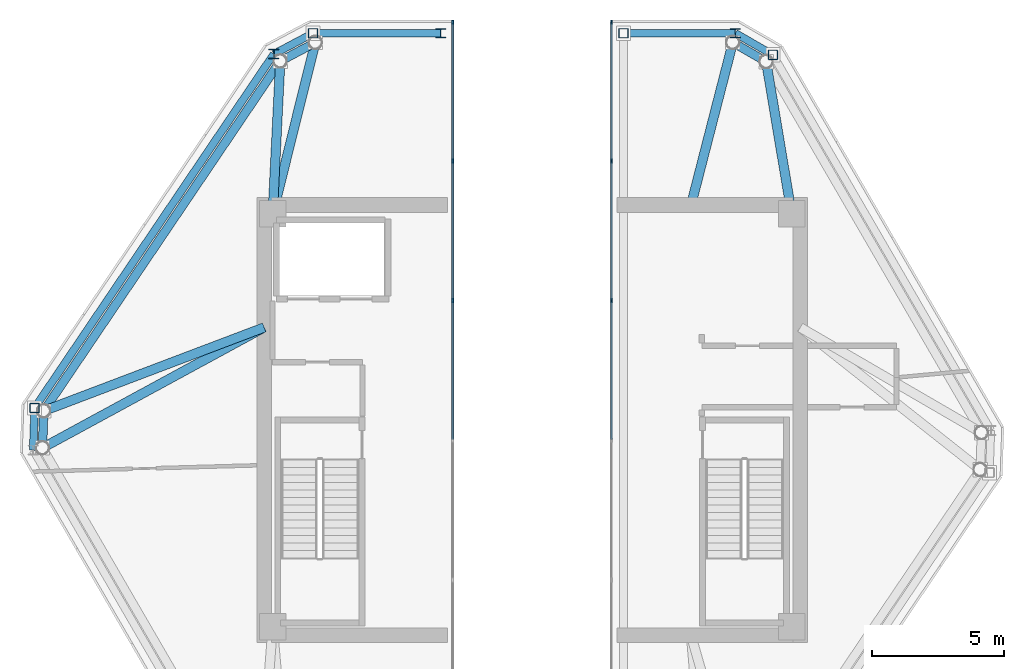
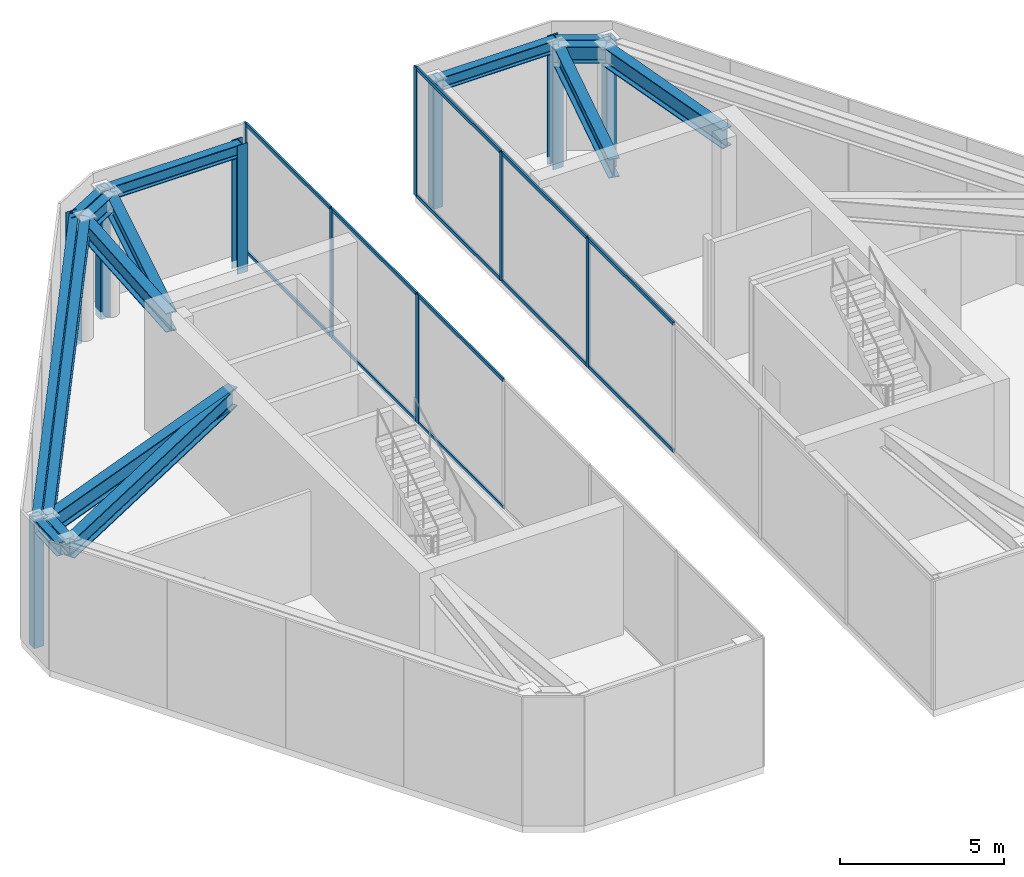
# One storey, part 4 of 8: 25 members, 16 beams, 2 elements without a shape of their own.
"""IFC4 building model written with IfcOpenShell, lengths in metres."""

from ifc_helpers import new_model, si_unit, direction, frame, origin, origin_2d, place, context, subcontext, project, spatial, rectangle, hollow_rectangle, i_section, extrude, source, transform, mapped, material, layer, layer_set, material_profile, profile_set, type_object, type_shapes, element, aggregate, save


model = new_model("IFC4")

# Units and contexts
model_context = context("Model", 3, precision=1e-05, world=origin(), true_north=direction((0.0, 1.0)))
body_context = subcontext(model_context, "Body", "Model", "MODEL_VIEW")
ifc_project = project(units=[si_unit("LENGTHUNIT", "METRE"), si_unit("AREAUNIT", "SQUARE_METRE"), si_unit("VOLUMEUNIT", "CUBIC_METRE"), si_unit("PLANEANGLEUNIT", "RADIAN"), si_unit("MASSUNIT", "GRAM", prefix="KILO")], contexts=[model_context])

# Site, building, storey
site_placement = place(None, origin())
site = spatial("IfcSite", under=ifc_project, at=site_placement, CompositionType="ELEMENT")
building_placement = place(site_placement, origin())
building = spatial("IfcBuilding", under=site, at=building_placement, Name="Durnholm Broadcast Tower", CompositionType="ELEMENT")
storey_placement = place(building_placement, frame((0.0, 0.0, 277.300048828125)))
storey = spatial("IfcBuildingStorey", under=building, at=storey_placement, Name="L77", CompositionType="ELEMENT", Elevation=277.300048828125)

# Beams
ifc_material_1 = material(Name="Steel ASTM A992 Grade 50", Category="steel")
ifc_material_profile_1 = material_profile(ifc_material_1, i_section(OverallWidth=0.3251953125, OverallDepth=0.6162109375, WebThickness=0.013916015625, FlangeThickness=0.021484375, FilletRadius=0.02783203125, at=origin_2d()), Name="W24X117")
ifc_profile_set_1 = profile_set([ifc_material_profile_1], Name="Steel ASTM A992 Grade 50")
beam_type_1 = type_object("IfcBeamType", Name="STL-SP-W24X117", PredefinedType="SPANDREL", material=ifc_profile_set_1)
shared_shape_1 = source(origin(), body_context, "Body", "SweptSolid", [
    extrude(i_section(OverallWidth=0.3251953125, OverallDepth=0.6162109375, WebThickness=0.013916015625, FlangeThickness=0.021484375, FilletRadius=0.02783203125, at=origin_2d()), origin(), (0.0, 0.0, 1.0), 1.39453125),
])
beam_1_placement = place(storey_placement, frame((-18.494384765625, -1.0478515625, 4.19677734375), z_axis=(0.034486393061, 0.999405167434, 0.0), x_axis=(-0.999405167434, 0.034486393061, 0.0)))
element("IfcBeam", 1, at=beam_1_placement, inside=storey, type_object=beam_type_1, Name="L77 perimeter spandrel girder 02", PredefinedType="SPANDREL", context=body_context, shape_type="MappedRepresentation", body=[
    mapped(shared_shape_1, transform((0.0, 0.0, 0.0), x_axis=(1.0, 0.0, 0.0), y_axis=(0.0, 1.0, 0.0), z_axis=(0.0, 0.0, 1.0), scale=1.0)),
])
shared_shape_2 = source(origin(), body_context, "Body", "SweptSolid", [
    extrude(i_section(OverallWidth=0.3251953125, OverallDepth=0.6162109375, WebThickness=0.013916015625, FlangeThickness=0.021484375, FilletRadius=0.02783203125, at=origin_2d()), origin(), (0.0, 0.0, 1.0), 15.947265625),
])
beam_2_placement = place(storey_placement, frame((-18.4462890625, 0.345947265625, 4.19677734375), z_axis=(0.560062212489, 0.828450552623, 0.0), x_axis=(-0.828450552623, 0.560062212489, 0.0)))
element("IfcBeam", 2, at=beam_2_placement, inside=storey, type_object=beam_type_1, Name="L77 perimeter spandrel girder 03", PredefinedType="SPANDREL", context=body_context, shape_type="MappedRepresentation", body=[
    mapped(shared_shape_2, transform((0.0, 0.0, 0.0), x_axis=(1.0, 0.0, 0.0), y_axis=(0.0, 1.0, 0.0), z_axis=(0.0, 0.0, 1.0), scale=1.0)),
])
shared_shape_3 = source(origin(), body_context, "Body", "SweptSolid", [
    extrude(i_section(OverallWidth=0.3251953125, OverallDepth=0.6162109375, WebThickness=0.013916015625, FlangeThickness=0.021484375, FilletRadius=0.02783203125, at=origin_2d()), origin(), (0.0, 0.0, 1.0), 1.502685546875),
])
beam_3_placement = place(storey_placement, frame((-9.514892578125, 13.557373046875, 4.19677734375), z_axis=(0.883241909673, 0.468917614296, 0.0), x_axis=(-0.468917614296, 0.883241909673, 0.0)))
element("IfcBeam", 3, at=beam_3_placement, inside=storey, type_object=beam_type_1, Name="L77 perimeter spandrel girder 04", PredefinedType="SPANDREL", context=body_context, shape_type="MappedRepresentation", body=[
    mapped(shared_shape_3, transform((0.0, 0.0, 0.0), x_axis=(1.0, 0.0, 0.0), y_axis=(0.0, 1.0, 0.0), z_axis=(0.0, 0.0, 1.0), scale=1.0)),
])
shared_shape_4 = source(origin(), body_context, "Body", "SweptSolid", [
    extrude(i_section(OverallWidth=0.3251953125, OverallDepth=0.6162109375, WebThickness=0.013916015625, FlangeThickness=0.021484375, FilletRadius=0.02783203125, at=origin_2d()), origin(), (0.0, 0.0, 1.0), 1.451416015625),
])
type_shapes(beam_type_1, [shared_shape_1, shared_shape_2, shared_shape_3, shared_shape_4])
beam_4_placement = place(storey_placement, frame((7.57958984375, 14.261962890625, 4.19677734375), z_axis=(0.866571760088, -0.499052486836, 0.0), x_axis=(0.499052486836, 0.866571760088, 0.0)))
element("IfcBeam", 4, at=beam_4_placement, inside=storey, type_object=beam_type_1, Name="L77 perimeter spandrel girder 06", PredefinedType="SPANDREL", context=body_context, shape_type="MappedRepresentation", body=[
    mapped(shared_shape_4, transform((0.0, 0.0, 0.0), x_axis=(1.0, 0.0, 0.0), y_axis=(0.0, 1.0, 0.0), z_axis=(0.0, 0.0, 1.0), scale=1.0)),
])
ifc_material_profile_2 = material_profile(ifc_material_1, i_section(OverallWidth=0.3564453125, OverallDepth=0.713623046875, WebThickness=0.01904296875, FlangeThickness=0.033935546875, FilletRadius=0.030517578125, at=origin_2d()), Name="W27X194")
ifc_profile_set_2 = profile_set([ifc_material_profile_2], Name="Steel ASTM A992 Grade 50")
beam_type_2 = type_object("IfcBeamType", Name="STL-GR-W27X194", PredefinedType="USERDEFINED", material=ifc_profile_set_2)
shared_shape_5 = source(origin(), body_context, "Body", "SweptSolid", [
    extrude(i_section(OverallWidth=0.3564453125, OverallDepth=0.713623046875, WebThickness=0.01904296875, FlangeThickness=0.033935546875, FilletRadius=0.030517578125, at=origin_2d()), origin(), (0.0, 0.0, 1.0), 5.764404296875),
])
beam_5_placement = place(storey_placement, frame((-9.800048828125, 7.800048828125, 4.14794921875), z_axis=(0.049468662109, 0.99877567625, 0.0), x_axis=(-0.99877567625, 0.049468662109, 0.0)))
element("IfcBeam", 5, at=beam_5_placement, inside=storey, type_object=beam_type_2, Name="L77 radial primary floor girder 04", ObjectType="GIRDER", PredefinedType="USERDEFINED", context=body_context, shape_type="MappedRepresentation", body=[
    mapped(shared_shape_5, transform((0.0, 0.0, 0.0), x_axis=(1.0, 0.0, 0.0), y_axis=(0.0, 1.0, 0.0), z_axis=(0.0, 0.0, 1.0), scale=1.0)),
])
shared_shape_6 = source(origin(), body_context, "Body", "SweptSolid", [
    extrude(i_section(OverallWidth=0.3564453125, OverallDepth=0.713623046875, WebThickness=0.01904296875, FlangeThickness=0.033935546875, FilletRadius=0.030517578125, at=origin_2d()), origin(), (0.0, 0.0, 1.0), 9.525146484375),
])
beam_6_placement = place(storey_placement, frame((-10.125, 3.5, 4.14794921875), z_axis=(-0.878656534666, -0.477454389538, 0.0), x_axis=(0.477454389538, -0.878656534666, 0.0)))
element("IfcBeam", 6, at=beam_6_placement, inside=storey, type_object=beam_type_2, Name="L77 radial primary floor girder 02", ObjectType="GIRDER", PredefinedType="USERDEFINED", context=body_context, shape_type="MappedRepresentation", body=[
    mapped(shared_shape_6, transform((0.0, 0.0, 0.0), x_axis=(1.0, 0.0, 0.0), y_axis=(0.0, 1.0, 0.0), z_axis=(0.0, 0.0, 1.0), scale=1.0)),
])
shared_shape_7 = source(origin(), body_context, "Body", "SweptSolid", [
    extrude(i_section(OverallWidth=0.3564453125, OverallDepth=0.713623046875, WebThickness=0.01904296875, FlangeThickness=0.033935546875, FilletRadius=0.030517578125, at=origin_2d()), origin(), (0.0, 0.0, 1.0), 8.89892578125),
])
beam_7_placement = place(storey_placement, frame((-10.125, 3.5, 4.14794921875), z_axis=(-0.935083139703, -0.354428443898, 0.0), x_axis=(0.354428443898, -0.935083139703, 0.0)))
element("IfcBeam", 7, at=beam_7_placement, inside=storey, type_object=beam_type_2, Name="L77 radial primary floor girder 03", ObjectType="GIRDER", PredefinedType="USERDEFINED", context=body_context, shape_type="MappedRepresentation", body=[
    mapped(shared_shape_7, transform((0.0, 0.0, 0.0), x_axis=(1.0, 0.0, 0.0), y_axis=(0.0, 1.0, 0.0), z_axis=(0.0, 0.0, 1.0), scale=1.0)),
])
shared_shape_8 = source(origin(), body_context, "Body", "SweptSolid", [
    extrude(i_section(OverallWidth=0.3564453125, OverallDepth=0.713623046875, WebThickness=0.01904296875, FlangeThickness=0.033935546875, FilletRadius=0.030517578125, at=origin_2d()), origin(), (0.0, 0.0, 1.0), 6.659912109375),
])
beam_8_placement = place(storey_placement, frame((-9.800048828125, 7.800048828125, 4.14794921875), z_axis=(0.242087082058, 0.97025452573, 0.0), x_axis=(-0.97025452573, 0.242087082058, 0.0)))
element("IfcBeam", 8, at=beam_8_placement, inside=storey, type_object=beam_type_2, Name="L77 radial primary floor girder 05", ObjectType="GIRDER", PredefinedType="USERDEFINED", context=body_context, shape_type="MappedRepresentation", body=[
    mapped(shared_shape_8, transform((0.0, 0.0, 0.0), x_axis=(1.0, 0.0, 0.0), y_axis=(0.0, 1.0, 0.0), z_axis=(0.0, 0.0, 1.0), scale=1.0)),
])
shared_shape_9 = source(origin(), body_context, "Body", "SweptSolid", [
    extrude(i_section(OverallWidth=0.3564453125, OverallDepth=0.713623046875, WebThickness=0.01904296875, FlangeThickness=0.033935546875, FilletRadius=0.030517578125, at=origin_2d()), origin(), (0.0, 0.0, 1.0), 6.3369140625),
])
beam_9_placement = place(storey_placement, frame((6.0, 8.125, 4.14794921875), z_axis=(0.249265081504, 0.968435294247, 0.0), x_axis=(-0.968435294247, 0.249265081504, 0.0)))
element("IfcBeam", 9, at=beam_9_placement, inside=storey, type_object=beam_type_2, Name="L77 radial primary floor girder 06", ObjectType="GIRDER", PredefinedType="USERDEFINED", context=body_context, shape_type="MappedRepresentation", body=[
    mapped(shared_shape_9, transform((0.0, 0.0, 0.0), x_axis=(1.0, 0.0, 0.0), y_axis=(0.0, 1.0, 0.0), z_axis=(0.0, 0.0, 1.0), scale=1.0)),
])
shared_shape_10 = source(origin(), body_context, "Body", "SweptSolid", [
    extrude(i_section(OverallWidth=0.3564453125, OverallDepth=0.713623046875, WebThickness=0.01904296875, FlangeThickness=0.033935546875, FilletRadius=0.030517578125, at=origin_2d()), origin(), (0.0, 0.0, 1.0), 5.817626953125),
])
type_shapes(beam_type_2, [shared_shape_5, shared_shape_6, shared_shape_7, shared_shape_8, shared_shape_9, shared_shape_10])
beam_10_placement = place(storey_placement, frame((9.800048828125, 7.800048828125, 4.14794921875), z_axis=(-0.16546729255, 0.986215278271, 0.0), x_axis=(-0.986215278271, -0.16546729255, 0.0)))
element("IfcBeam", 10, at=beam_10_placement, inside=storey, type_object=beam_type_2, Name="L77 radial primary floor girder 07", ObjectType="GIRDER", PredefinedType="USERDEFINED", context=body_context, shape_type="MappedRepresentation", body=[
    mapped(shared_shape_10, transform((0.0, 0.0, 0.0), x_axis=(1.0, 0.0, 0.0), y_axis=(0.0, 1.0, 0.0), z_axis=(0.0, 0.0, 1.0), scale=1.0)),
])
ifc_material_profile_3 = material_profile(ifc_material_1, i_section(OverallWidth=0.2861328125, OverallDepth=0.481689453125, WebThickness=0.0166015625, FlangeThickness=0.02685546875, FilletRadius=0.02294921875, at=origin_2d()), Name="W18X119")
ifc_profile_set_3 = profile_set([ifc_material_profile_3], Name="Steel ASTM A992 Grade 50")
beam_type_3 = type_object("IfcBeamType", Name="STL-BM-W18X119", PredefinedType="BEAM", material=ifc_profile_set_3)
shared_shape_11 = source(origin(), body_context, "Body", "SweptSolid", [
    extrude(i_section(OverallWidth=0.2861328125, OverallDepth=0.481689453125, WebThickness=0.0166015625, FlangeThickness=0.02685546875, FilletRadius=0.02294921875, at=origin_2d()), origin(), (0.0, 0.0, 1.0), 4.824951171875),
])
beam_11_placement = place(storey_placement, frame((-3.449951171875, 14.612060546875, 4.26416015625), z_axis=(-1.0, 0.0, 0.0), x_axis=(0.0, -1.0, 0.0)))
element("IfcBeam", 11, at=beam_11_placement, inside=storey, type_object=beam_type_3, Name="L77 W split-crown frame ring beam 4", PredefinedType="SPANDREL", context=body_context, shape_type="MappedRepresentation", body=[
    mapped(shared_shape_11, transform((0.0, 0.0, 0.0), x_axis=(1.0, 0.0, 0.0), y_axis=(0.0, 1.0, 0.0), z_axis=(0.0, 0.0, 1.0), scale=1.0)),
])
shared_shape_12 = source(origin(), body_context, "Body", "SweptSolid", [
    extrude(i_section(OverallWidth=0.2861328125, OverallDepth=0.481689453125, WebThickness=0.0166015625, FlangeThickness=0.02685546875, FilletRadius=0.02294921875, at=origin_2d()), origin(), (0.0, 0.0, 1.0), 1.677001953125),
])
beam_12_placement = place(storey_placement, frame((-8.27490234375, 14.612060546875, 4.26416015625), z_axis=(-0.883181677965, -0.469031047701, 0.0), x_axis=(0.469031047701, -0.883181677965, 0.0)))
element("IfcBeam", 12, at=beam_12_placement, inside=storey, type_object=beam_type_3, Name="L77 W split-crown frame ring beam 5", PredefinedType="SPANDREL", context=body_context, shape_type="MappedRepresentation", body=[
    mapped(shared_shape_12, transform((0.0, 0.0, 0.0), x_axis=(1.0, 0.0, 0.0), y_axis=(0.0, 1.0, 0.0), z_axis=(0.0, 0.0, 1.0), scale=1.0)),
])
shared_shape_13 = source(origin(), body_context, "Body", "SweptSolid", [
    extrude(i_section(OverallWidth=0.2861328125, OverallDepth=0.481689453125, WebThickness=0.0166015625, FlangeThickness=0.02685546875, FilletRadius=0.02294921875, at=origin_2d()), origin(), (0.0, 0.0, 1.0), 16.135009765625),
])
beam_13_placement = place(storey_placement, frame((-9.756103515625, 13.825439453125, 4.26416015625), z_axis=(-0.560066005193, -0.828447988607, 0.0), x_axis=(0.828447988607, -0.560066005193, 0.0)))
element("IfcBeam", 13, at=beam_13_placement, inside=storey, type_object=beam_type_3, Name="L77 W split-crown frame ring beam 6", PredefinedType="SPANDREL", context=body_context, shape_type="MappedRepresentation", body=[
    mapped(shared_shape_13, transform((0.0, 0.0, 0.0), x_axis=(1.0, 0.0, 0.0), y_axis=(0.0, 1.0, 0.0), z_axis=(0.0, 0.0, 1.0), scale=1.0)),
])
shared_shape_14 = source(origin(), body_context, "Body", "SweptSolid", [
    extrude(i_section(OverallWidth=0.2861328125, OverallDepth=0.481689453125, WebThickness=0.0166015625, FlangeThickness=0.02685546875, FilletRadius=0.02294921875, at=origin_2d()), origin(), (0.0, 0.0, 1.0), 1.595947265625),
])
beam_14_placement = place(storey_placement, frame((-18.792724609375, 0.45849609375, 4.26416015625), z_axis=(-0.034267326711, -0.999412702701, 0.0), x_axis=(0.999412702701, -0.034267326711, 0.0)))
element("IfcBeam", 14, at=beam_14_placement, inside=storey, type_object=beam_type_3, Name="L77 W split-crown frame ring beam 7", PredefinedType="SPANDREL", context=body_context, shape_type="MappedRepresentation", body=[
    mapped(shared_shape_14, transform((0.0, 0.0, 0.0), x_axis=(1.0, 0.0, 0.0), y_axis=(0.0, 1.0, 0.0), z_axis=(0.0, 0.0, 1.0), scale=1.0)),
])
shared_shape_15 = source(origin(), body_context, "Body", "SweptSolid", [
    extrude(i_section(OverallWidth=0.2861328125, OverallDepth=0.481689453125, WebThickness=0.0166015625, FlangeThickness=0.02685546875, FilletRadius=0.02294921875, at=origin_2d()), origin(), (0.0, 0.0, 1.0), 1.638671875),
])
beam_15_placement = place(storey_placement, frame((9.09326171875, 13.794189453125, 4.26416015625), z_axis=(-0.866532637126, 0.499120415126, 0.0), x_axis=(-0.499120415126, -0.866532637126, 0.0)))
element("IfcBeam", 15, at=beam_15_placement, inside=storey, type_object=beam_type_3, Name="L77 E split-crown frame ring beam 7", PredefinedType="SPANDREL", context=body_context, shape_type="MappedRepresentation", body=[
    mapped(shared_shape_15, transform((0.0, 0.0, 0.0), x_axis=(1.0, 0.0, 0.0), y_axis=(0.0, 1.0, 0.0), z_axis=(0.0, 0.0, 1.0), scale=1.0)),
])
shared_shape_16 = source(origin(), body_context, "Body", "SweptSolid", [
    extrude(i_section(OverallWidth=0.2861328125, OverallDepth=0.481689453125, WebThickness=0.0166015625, FlangeThickness=0.02685546875, FilletRadius=0.02294921875, at=origin_2d()), origin(), (0.0, 0.0, 1.0), 4.223388671875),
])
type_shapes(beam_type_3, [shared_shape_11, shared_shape_12, shared_shape_13, shared_shape_14, shared_shape_15, shared_shape_16])
beam_16_placement = place(storey_placement, frame((7.67333984375, 14.612060546875, 4.26416015625), z_axis=(-1.0, 0.0, 0.0), x_axis=(0.0, -1.0, 0.0)))
element("IfcBeam", 16, at=beam_16_placement, inside=storey, type_object=beam_type_3, Name="L77 E split-crown frame ring beam 8", PredefinedType="SPANDREL", context=body_context, shape_type="MappedRepresentation", body=[
    mapped(shared_shape_16, transform((0.0, 0.0, 0.0), x_axis=(1.0, 0.0, 0.0), y_axis=(0.0, 1.0, 0.0), z_axis=(0.0, 0.0, 1.0), scale=1.0)),
])

# Members
ifc_material_2 = material(Name="Steel ASTM A500 Grade C", Category="steel")
ifc_material_profile_4 = material_profile(ifc_material_2, hollow_rectangle(XDim=0.355712890625, YDim=0.355712890625, WallThickness=0.01171875, InnerFilletRadius=0.017578125, OuterFilletRadius=0.029541015625, at=origin_2d()), Name="HSS14X14X1/2")
ifc_profile_set_4 = profile_set([ifc_material_profile_4], Name="Steel ASTM A500 Grade C")
member_type_1 = type_object("IfcMemberType", Name="STL-CF-HSS14X14", PredefinedType="USERDEFINED", material=ifc_profile_set_4)
shared_shape_17 = source(origin(), body_context, "Body", "SweptSolid", [
    extrude(hollow_rectangle(XDim=0.355712890625, YDim=0.355712890625, WallThickness=0.01171875, InnerFilletRadius=0.017578125, OuterFilletRadius=0.029541015625, at=origin_2d()), origin(), (0.0, 0.0, 1.0), 4.800048828125),
])
type_shapes(member_type_1, [shared_shape_17])
for number, where, z_axis, x_axis, name in (
    (17, (-8.27490234375, 14.612060546875, -0.280029296875), (0.0, 0.0, 1.0), (1.0, 0.0, 0.0), "L77 W split-crown frame post 5"),
    (18, (-18.792724609375, 0.45849609375, -0.280029296875), (0.0, 0.0, 1.0), (1.0, 0.0, 0.0), "L77 W split-crown frame post 7"),
    (19, (3.449951171875, 14.612060546875, -0.280029296875), (0.0, 0.0, 1.0), (1.0, 0.0, 0.0), "L77 E split-crown frame post 1"),
    (20, (9.09326171875, 13.794189453125, -0.280029296875), (0.0, 0.0, 1.0), (1.0, 0.0, 0.0), "L77 E split-crown frame post 7"),
):
    element("IfcMember", number, at=place(storey_placement, frame(where, z_axis=z_axis, x_axis=x_axis)), inside=storey, type_object=member_type_1, Name=name, ObjectType="CROWN FRAME", PredefinedType="USERDEFINED", context=body_context, shape_type="MappedRepresentation", body=[
        mapped(shared_shape_17, transform((0.0, 0.0, 0.0), x_axis=(1.0, 0.0, 0.0), y_axis=(0.0, 1.0, 0.0), z_axis=(0.0, 0.0, 1.0), scale=1.0)),
    ])
ifc_material_profile_5 = material_profile(ifc_material_1, i_section(OverallWidth=0.368896484375, OverallDepth=0.356201171875, WebThickness=0.01123046875, FlangeThickness=0.01806640625, FilletRadius=0.030517578125, at=origin_2d()), Name="W14X90")
ifc_profile_set_5 = profile_set([ifc_material_profile_5], Name="Steel ASTM A992 Grade 50")
member_type_2 = type_object("IfcMemberType", Name="STL-CF-W14X90", PredefinedType="USERDEFINED", material=ifc_profile_set_5)
shared_shape_18 = source(origin(), body_context, "Body", "SweptSolid", [
    extrude(i_section(OverallWidth=0.368896484375, OverallDepth=0.356201171875, WebThickness=0.01123046875, FlangeThickness=0.01806640625, FilletRadius=0.030517578125, at=origin_2d()), origin(), (0.0, 0.0, 1.0), 4.800048828125),
])
type_shapes(member_type_2, [shared_shape_18])
for number, where, z_axis, x_axis, name in (
    (21, (-3.449951171875, 14.612060546875, -0.280029296875), (0.0, 0.0, 1.0), (1.0, 0.0, 0.0), "L77 W split-crown frame post 4"),
    (22, (-9.756103515625, 13.825439453125, -0.280029296875), (0.0, 0.0, 1.0), (1.0, 0.0, 0.0), "L77 W split-crown frame post 6"),
    (23, (7.67333984375, 14.612060546875, -0.280029296875), (0.0, 0.0, 1.0), (1.0, 0.0, 0.0), "L77 E split-crown frame post 8"),
):
    element("IfcMember", number, at=place(storey_placement, frame(where, z_axis=z_axis, x_axis=x_axis)), inside=storey, type_object=member_type_2, Name=name, ObjectType="CROWN FRAME", PredefinedType="USERDEFINED", context=body_context, shape_type="MappedRepresentation", body=[
        mapped(shared_shape_18, transform((0.0, 0.0, 0.0), x_axis=(1.0, 0.0, 0.0), y_axis=(0.0, 1.0, 0.0), z_axis=(0.0, 0.0, 1.0), scale=1.0)),
    ])

# Curtain wall, members
ifc_material_3 = material(Name="Aluminium and Solar Control IGU", Category="aluminium")
ifc_layer = layer(ifc_material_3, 0.1650390625)
ifc_layer_set = layer_set([ifc_layer], Name="Aluminium and Solar Control IGU")
curtain_wall_type = type_object("IfcCurtainWallType", Name="CW-SYS-7", PredefinedType="NOTDEFINED", material=ifc_layer_set)
curtain_wall_1_placement = place(storey_placement, origin())
curtain_wall_1 = element("IfcCurtainWall", 24, at=curtain_wall_1_placement, inside=storey, type_object=curtain_wall_type, Name="L77 curtain wall CW-CROWN CW-L77-W-5", PredefinedType="NOTDEFINED")
ifc_material_4 = material(Name="Aluminium 6063-T6", Category="aluminium")
ifc_material_profile_6 = material_profile(ifc_material_4, rectangle(XDim=0.06494140625, YDim=0.1650390625, at=origin_2d()), Name="CWM65X165")
ifc_profile_set_6 = profile_set([ifc_material_profile_6], Name="Aluminium 6063-T6")
member_type_3 = type_object("IfcMemberType", Name="CW-SYS-7-MUL", PredefinedType="MULLION", material=ifc_profile_set_6)
shared_shape_19 = source(origin(), body_context, "Body", "SweptSolid", [
    extrude(rectangle(XDim=0.06494140625, YDim=0.1650390625, at=origin_2d()), origin(), (0.0, 0.0, 1.0), 4.800048828125),
])
type_shapes(member_type_3, [shared_shape_19])
member_1_placement = place(storey_placement, frame((-3.0, 15.029541015625, 0.0), z_axis=(0.0, 0.0, 1.0), x_axis=(1.0, 0.0, 0.0)))
member_1 = element("IfcMember", 25, at=member_1_placement, type_object=member_type_3, Name="CW-CROWN mullion 1", PredefinedType="MULLION", context=body_context, shape_type="MappedRepresentation", body=[
    mapped(shared_shape_19, transform((0.0, 0.0, 0.0), x_axis=(1.0, 0.0, 0.0), y_axis=(0.0, 1.0, 0.0), z_axis=(0.0, 0.0, 1.0), scale=1.0)),
])
member_2_placement = place(storey_placement, frame((-3.0, 9.787353515625, 0.0), z_axis=(0.0, 0.0, 1.0), x_axis=(1.0, 0.0, 0.0)))
member_2 = element("IfcMember", 26, at=member_2_placement, type_object=member_type_3, Name="CW-CROWN mullion 2", PredefinedType="MULLION", context=body_context, shape_type="MappedRepresentation", body=[
    mapped(shared_shape_19, transform((0.0, 0.0, 0.0), x_axis=(1.0, 0.0, 0.0), y_axis=(0.0, 1.0, 0.0), z_axis=(0.0, 0.0, 1.0), scale=1.0)),
])
member_3_placement = place(storey_placement, frame((-3.0, 4.5126953125, 0.0), z_axis=(0.0, 0.0, 1.0), x_axis=(1.0, 0.0, 0.0)))
member_3 = element("IfcMember", 27, at=member_3_placement, type_object=member_type_3, Name="CW-CROWN mullion 3", PredefinedType="MULLION", context=body_context, shape_type="MappedRepresentation", body=[
    mapped(shared_shape_19, transform((0.0, 0.0, 0.0), x_axis=(1.0, 0.0, 0.0), y_axis=(0.0, 1.0, 0.0), z_axis=(0.0, 0.0, 1.0), scale=1.0)),
])

curtain_wall_2_placement = place(storey_placement, origin())
curtain_wall_2 = element("IfcCurtainWall", 28, at=curtain_wall_2_placement, inside=storey, type_object=curtain_wall_type, Name="L77 curtain wall CW-CROWN CW-L77-E-7", PredefinedType="NOTDEFINED")
member_4_placement = place(storey_placement, frame((3.0, 4.5126953125, 0.0), z_axis=(0.0, 0.0, 1.0), x_axis=(-1.0, 0.0, 0.0)))
member_4 = element("IfcMember", 29, at=member_4_placement, type_object=member_type_3, Name="CW-CROWN mullion 5", PredefinedType="MULLION", context=body_context, shape_type="MappedRepresentation", body=[
    mapped(shared_shape_19, transform((0.0, 0.0, 0.0), x_axis=(1.0, 0.0, 0.0), y_axis=(0.0, 1.0, 0.0), z_axis=(0.0, 0.0, 1.0), scale=1.0)),
])
member_5_placement = place(storey_placement, frame((3.0, 9.787353515625, 0.0), z_axis=(0.0, 0.0, 1.0), x_axis=(-1.0, 0.0, 0.0)))
member_5 = element("IfcMember", 30, at=member_5_placement, type_object=member_type_3, Name="CW-CROWN mullion 6", PredefinedType="MULLION", context=body_context, shape_type="MappedRepresentation", body=[
    mapped(shared_shape_19, transform((0.0, 0.0, 0.0), x_axis=(1.0, 0.0, 0.0), y_axis=(0.0, 1.0, 0.0), z_axis=(0.0, 0.0, 1.0), scale=1.0)),
])
member_6_placement = place(storey_placement, frame((3.0, 15.029541015625, 0.0), z_axis=(0.0, 0.0, 1.0), x_axis=(-1.0, 0.0, 0.0)))
member_6 = element("IfcMember", 31, at=member_6_placement, type_object=member_type_3, Name="CW-CROWN mullion 7", PredefinedType="MULLION", context=body_context, shape_type="MappedRepresentation", body=[
    mapped(shared_shape_19, transform((0.0, 0.0, 0.0), x_axis=(1.0, 0.0, 0.0), y_axis=(0.0, 1.0, 0.0), z_axis=(0.0, 0.0, 1.0), scale=1.0)),
])

# Member
ifc_material_profile_7 = material_profile(ifc_material_4, rectangle(XDim=0.06494140625, YDim=0.1298828125, at=origin_2d()), Name="CWT65X130")
ifc_profile_set_7 = profile_set([ifc_material_profile_7], Name="Aluminium 6063-T6")
member_type_4 = type_object("IfcMemberType", Name="CW-SYS-7-TRN", PredefinedType="USERDEFINED", material=ifc_profile_set_7)
shared_shape_20 = source(origin(), body_context, "Body", "SweptSolid", [
    extrude(rectangle(XDim=0.06494140625, YDim=0.1298828125, at=origin_2d()), origin(), (0.0, 0.0, 1.0), 5.17724609375),
])
member_7_placement = place(storey_placement, frame((-3.0, 14.9970703125, 0.032470703125), z_axis=(0.0, -1.0, 0.0), x_axis=(1.0, 0.0, 0.0)))
member_7 = element("IfcMember", 32, at=member_7_placement, type_object=member_type_4, Name="CW-CROWN transom 1.1", ObjectType="TRANSOM", PredefinedType="USERDEFINED", context=body_context, shape_type="MappedRepresentation", body=[
    mapped(shared_shape_20, transform((0.0, 0.0, 0.0), x_axis=(1.0, 0.0, 0.0), y_axis=(0.0, 1.0, 0.0), z_axis=(0.0, 0.0, 1.0), scale=1.0)),
])

member_8_placement = place(storey_placement, frame((-3.0, 14.9970703125, 4.767333984375), z_axis=(0.0, -1.0, 0.0), x_axis=(1.0, 0.0, 0.0)))
member_8 = element("IfcMember", 33, at=member_8_placement, type_object=member_type_4, Name="CW-CROWN transom 1.2", ObjectType="TRANSOM", PredefinedType="USERDEFINED", context=body_context, shape_type="MappedRepresentation", body=[
    mapped(shared_shape_20, transform((0.0, 0.0, 0.0), x_axis=(1.0, 0.0, 0.0), y_axis=(0.0, 1.0, 0.0), z_axis=(0.0, 0.0, 1.0), scale=1.0)),
])

member_9_placement = place(storey_placement, frame((3.0, 9.81982421875, 0.032470703125), z_axis=(0.0, 1.0, 0.0), x_axis=(-1.0, 0.0, 0.0)))
member_9 = element("IfcMember", 34, at=member_9_placement, type_object=member_type_4, Name="CW-CROWN transom 6.1", ObjectType="TRANSOM", PredefinedType="USERDEFINED", context=body_context, shape_type="MappedRepresentation", body=[
    mapped(shared_shape_20, transform((0.0, 0.0, 0.0), x_axis=(1.0, 0.0, 0.0), y_axis=(0.0, 1.0, 0.0), z_axis=(0.0, 0.0, 1.0), scale=1.0)),
])

member_10_placement = place(storey_placement, frame((3.0, 9.81982421875, 4.767333984375), z_axis=(0.0, 1.0, 0.0), x_axis=(-1.0, 0.0, 0.0)))
member_10 = element("IfcMember", 35, at=member_10_placement, type_object=member_type_4, Name="CW-CROWN transom 6.2", ObjectType="TRANSOM", PredefinedType="USERDEFINED", context=body_context, shape_type="MappedRepresentation", body=[
    mapped(shared_shape_20, transform((0.0, 0.0, 0.0), x_axis=(1.0, 0.0, 0.0), y_axis=(0.0, 1.0, 0.0), z_axis=(0.0, 0.0, 1.0), scale=1.0)),
])

shared_shape_21 = source(origin(), body_context, "Body", "SweptSolid", [
    extrude(rectangle(XDim=0.06494140625, YDim=0.1298828125, at=origin_2d()), origin(), (0.0, 0.0, 1.0), 5.209716796875),
])
type_shapes(member_type_4, [shared_shape_20, shared_shape_21])
member_11_placement = place(storey_placement, frame((-3.0, 9.7548828125, 0.032470703125), z_axis=(0.0, -1.0, 0.0), x_axis=(1.0, 0.0, 0.0)))
member_11 = element("IfcMember", 36, at=member_11_placement, type_object=member_type_4, Name="CW-CROWN transom 2.1", ObjectType="TRANSOM", PredefinedType="USERDEFINED", context=body_context, shape_type="MappedRepresentation", body=[
    mapped(shared_shape_21, transform((0.0, 0.0, 0.0), x_axis=(1.0, 0.0, 0.0), y_axis=(0.0, 1.0, 0.0), z_axis=(0.0, 0.0, 1.0), scale=1.0)),
])

member_12_placement = place(storey_placement, frame((-3.0, 9.7548828125, 4.767333984375), z_axis=(0.0, -1.0, 0.0), x_axis=(1.0, 0.0, 0.0)))
member_12 = element("IfcMember", 37, at=member_12_placement, type_object=member_type_4, Name="CW-CROWN transom 2.2", ObjectType="TRANSOM", PredefinedType="USERDEFINED", context=body_context, shape_type="MappedRepresentation", body=[
    mapped(shared_shape_21, transform((0.0, 0.0, 0.0), x_axis=(1.0, 0.0, 0.0), y_axis=(0.0, 1.0, 0.0), z_axis=(0.0, 0.0, 1.0), scale=1.0)),
])

member_13_placement = place(storey_placement, frame((-3.0, 4.480224609375, 0.032470703125), z_axis=(0.0, -1.0, 0.0), x_axis=(1.0, 0.0, 0.0)))
member_13 = element("IfcMember", 38, at=member_13_placement, type_object=member_type_4, Name="CW-CROWN transom 3.1", ObjectType="TRANSOM", PredefinedType="USERDEFINED", context=body_context, shape_type="MappedRepresentation", body=[
    mapped(shared_shape_21, transform((0.0, 0.0, 0.0), x_axis=(1.0, 0.0, 0.0), y_axis=(0.0, 1.0, 0.0), z_axis=(0.0, 0.0, 1.0), scale=1.0)),
])

member_14_placement = place(storey_placement, frame((-3.0, 4.480224609375, 4.767333984375), z_axis=(0.0, -1.0, 0.0), x_axis=(1.0, 0.0, 0.0)))
member_14 = element("IfcMember", 39, at=member_14_placement, type_object=member_type_4, Name="CW-CROWN transom 3.2", ObjectType="TRANSOM", PredefinedType="USERDEFINED", context=body_context, shape_type="MappedRepresentation", body=[
    mapped(shared_shape_21, transform((0.0, 0.0, 0.0), x_axis=(1.0, 0.0, 0.0), y_axis=(0.0, 1.0, 0.0), z_axis=(0.0, 0.0, 1.0), scale=1.0)),
])

aggregate(curtain_wall_1, [member_1, member_2, member_3, member_7, member_8, member_11, member_12, member_13, member_14])

member_15_placement = place(storey_placement, frame((3.0, -0.7294921875, 0.032470703125), z_axis=(0.0, 1.0, 0.0), x_axis=(-1.0, 0.0, 0.0)))
member_15 = element("IfcMember", 40, at=member_15_placement, type_object=member_type_4, Name="CW-CROWN transom 4.1", ObjectType="TRANSOM", PredefinedType="USERDEFINED", context=body_context, shape_type="MappedRepresentation", body=[
    mapped(shared_shape_21, transform((0.0, 0.0, 0.0), x_axis=(1.0, 0.0, 0.0), y_axis=(0.0, 1.0, 0.0), z_axis=(0.0, 0.0, 1.0), scale=1.0)),
])

member_16_placement = place(storey_placement, frame((3.0, -0.7294921875, 4.767333984375), z_axis=(0.0, 1.0, 0.0), x_axis=(-1.0, 0.0, 0.0)))
member_16 = element("IfcMember", 41, at=member_16_placement, type_object=member_type_4, Name="CW-CROWN transom 4.2", ObjectType="TRANSOM", PredefinedType="USERDEFINED", context=body_context, shape_type="MappedRepresentation", body=[
    mapped(shared_shape_21, transform((0.0, 0.0, 0.0), x_axis=(1.0, 0.0, 0.0), y_axis=(0.0, 1.0, 0.0), z_axis=(0.0, 0.0, 1.0), scale=1.0)),
])

member_17_placement = place(storey_placement, frame((3.0, 4.545166015625, 0.032470703125), z_axis=(0.0, 1.0, 0.0), x_axis=(-1.0, 0.0, 0.0)))
member_17 = element("IfcMember", 42, at=member_17_placement, type_object=member_type_4, Name="CW-CROWN transom 5.1", ObjectType="TRANSOM", PredefinedType="USERDEFINED", context=body_context, shape_type="MappedRepresentation", body=[
    mapped(shared_shape_21, transform((0.0, 0.0, 0.0), x_axis=(1.0, 0.0, 0.0), y_axis=(0.0, 1.0, 0.0), z_axis=(0.0, 0.0, 1.0), scale=1.0)),
])

member_18_placement = place(storey_placement, frame((3.0, 4.545166015625, 4.767333984375), z_axis=(0.0, 1.0, 0.0), x_axis=(-1.0, 0.0, 0.0)))
member_18 = element("IfcMember", 43, at=member_18_placement, type_object=member_type_4, Name="CW-CROWN transom 5.2", ObjectType="TRANSOM", PredefinedType="USERDEFINED", context=body_context, shape_type="MappedRepresentation", body=[
    mapped(shared_shape_21, transform((0.0, 0.0, 0.0), x_axis=(1.0, 0.0, 0.0), y_axis=(0.0, 1.0, 0.0), z_axis=(0.0, 0.0, 1.0), scale=1.0)),
])

aggregate(curtain_wall_2, [member_4, member_5, member_6, member_15, member_16, member_17, member_18, member_9, member_10])

save(model, "model.ifc")
